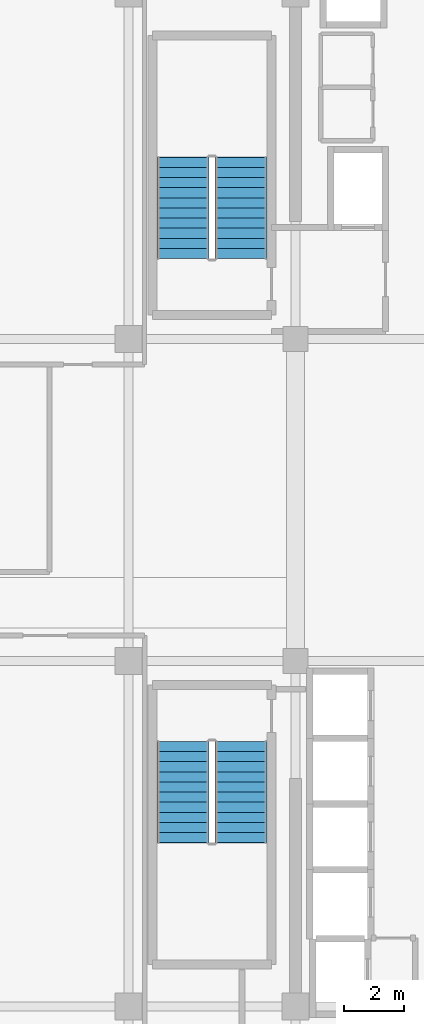
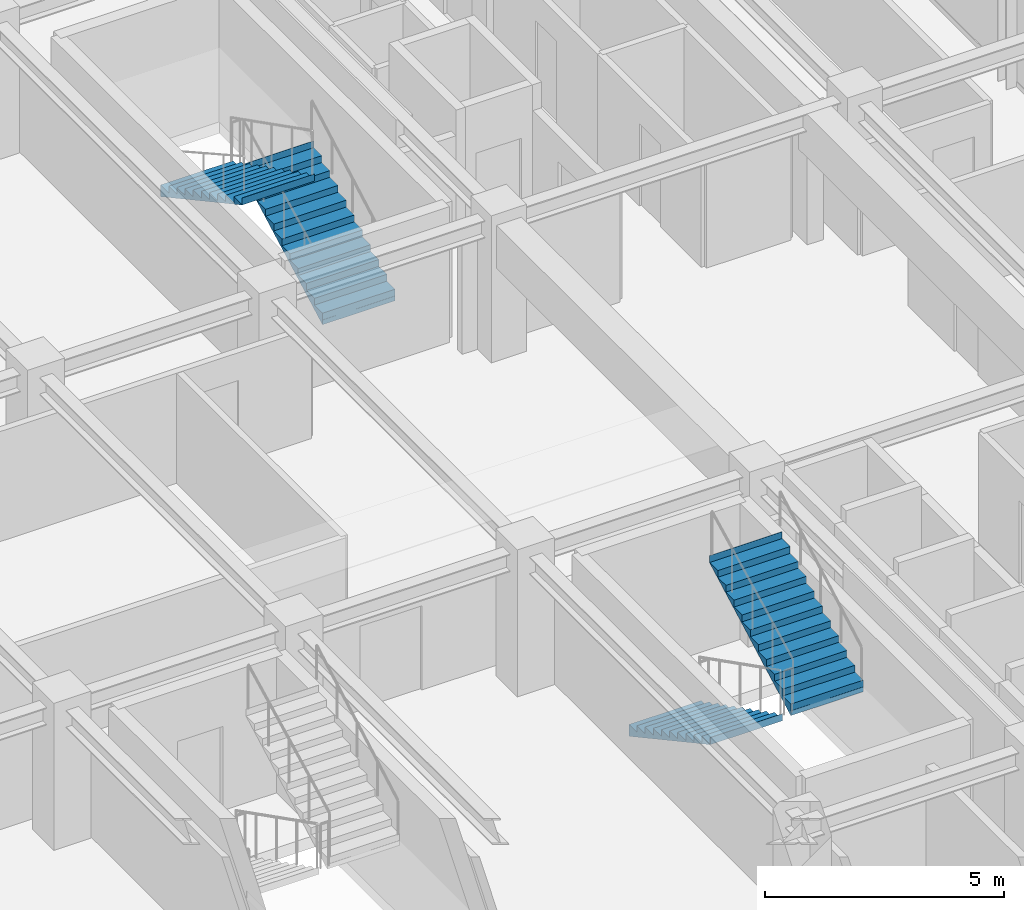
# One storey, part 31 of 34: 4 stair flights, 2 elements without a shape of their own.
"""IFC4 building model written with IfcOpenShell, lengths in metres."""

from ifc_helpers import new_model, si_unit, direction, frame, origin, place, context, subcontext, project, spatial, polyline, outline, extrude, source, transform, mapped, material, layer, layer_set, type_object, element, aggregate, save


model = new_model("IFC4")

# Units and contexts
model_context = context("Model", 3, precision=1e-05, world=origin(), true_north=direction((0.0, 1.0)))
body_context = subcontext(model_context, "Body", "Model", "MODEL_VIEW")
ifc_project = project(units=[si_unit("LENGTHUNIT", "METRE"), si_unit("AREAUNIT", "SQUARE_METRE"), si_unit("VOLUMEUNIT", "CUBIC_METRE"), si_unit("PLANEANGLEUNIT", "RADIAN"), si_unit("MASSUNIT", "GRAM", prefix="KILO")], contexts=[model_context])

# Site, building, storey
site_placement = place(None, origin())
site = spatial("IfcSite", under=ifc_project, at=site_placement, CompositionType="ELEMENT")
building_placement = place(site_placement, origin())
building = spatial("IfcBuilding", under=site, at=building_placement, Name="Nahalor Promenade Grand Hotel", CompositionType="ELEMENT")
storey_placement = place(building_placement, frame((0.0, 0.0, 334.75)))
storey = spatial("IfcBuildingStorey", under=building, at=storey_placement, Name="L86", CompositionType="ELEMENT", Elevation=334.75)

# Stair, stair flights
ifc_material = material(Name="Concrete B-50 (C40/50)", Category="concrete")
stair_type_1 = type_object("IfcStairType", Name="Stair-ST1", PredefinedType="HALF_TURN_STAIR", material=ifc_material)
stair_1_placement = place(storey_placement, origin())
stair_1 = element("IfcStair", 1, at=stair_1_placement, inside=storey, type_object=stair_type_1, Name="L86 ST1", PredefinedType="HALF_TURN_STAIR")
ifc_layer_1 = layer(ifc_material, 0.179931640625)
ifc_layer_set_1 = layer_set([ifc_layer_1], Name="Concrete B-50 (C40/50)")
stair_flight_type_1 = type_object("IfcStairFlightType", Name="Flight-ST1", PredefinedType="STRAIGHT", material=ifc_layer_set_1)
shared_shape_1 = source(origin(), body_context, "Body", "SweptSolid", [
    extrude(outline(polyline([(-0.00390625, -0.1201171875), (-0.00390625, 0.0), (0.0, 0.0), (0.0, 0.172607421875), (0.340087890625, 0.172607421875), (0.340087890625, 0.345458984375), (0.679931640625, 0.345458984375), (0.679931640625, 0.51806640625), (1.02001953125, 0.51806640625), (1.02001953125, 0.69091796875), (1.360107421875, 0.69091796875), (1.360107421875, 0.863525390625), (1.699951171875, 0.863525390625), (1.699951171875, 1.036376953125), (2.0400390625, 1.036376953125), (2.0400390625, 1.208984375), (2.3798828125, 1.208984375), (2.3798828125, 1.3818359375), (2.719970703125, 1.3818359375), (2.719970703125, 1.554443359375), (3.06005859375, 1.554443359375), (3.06005859375, 1.727294921875), (3.39990234375, 1.727294921875), (3.39990234375, 1.89990234375), (3.404052734375, 1.89990234375), (3.404052734375, 1.719970703125), (0.02001953125, -0.1201171875), (-0.00390625, -0.1201171875)])), frame((0.0, 0.875, 0.0), z_axis=(0.0, -1.0, 0.0), x_axis=(1.0, 0.0, 0.0)), (0.0, 0.0, 1.0), 1.75),
])
stair_flight_1_placement = place(storey_placement, frame((6.574951171875, 8.10009765625, 0.0), z_axis=(0.0, 0.0, 1.0), x_axis=(0.0, 1.0, 0.0)))
stair_flight_1 = element("IfcStairFlight", 2, at=stair_flight_1_placement, type_object=stair_flight_type_1, Name="ST1 flight 1", NumberOfRisers=11, NumberOfTreads=10, PredefinedType="STRAIGHT", RiserHeight=0.172727273, TreadLength=0.34, context=body_context, shape_type="MappedRepresentation", body=[
    mapped(shared_shape_1, transform((0.0, 0.0, 0.0), scale=1.0)),
])
stair_flight_2_placement = place(storey_placement, frame((4.625, 11.5, 1.89990234375), z_axis=(0.0, 0.0, 1.0), x_axis=(0.0, -1.0, 0.0)))
stair_flight_2 = element("IfcStairFlight", 3, at=stair_flight_2_placement, type_object=stair_flight_type_1, Name="ST1 flight 2", NumberOfRisers=11, NumberOfTreads=10, PredefinedType="STRAIGHT", RiserHeight=0.172727273, TreadLength=0.34, context=body_context, shape_type="MappedRepresentation", body=[
    mapped(shared_shape_1, transform((0.0, 0.0, 0.0), scale=1.0)),
])
aggregate(stair_1, [stair_flight_1, stair_flight_2])

stair_type_2 = type_object("IfcStairType", Name="Stair-ST2", PredefinedType="HALF_TURN_STAIR", material=ifc_material)
stair_2_placement = place(storey_placement, origin())
stair_2 = element("IfcStair", 4, at=stair_2_placement, inside=storey, type_object=stair_type_2, Name="L86 ST2", PredefinedType="HALF_TURN_STAIR")
ifc_layer_2 = layer(ifc_material, 0.18994140625)
ifc_layer_set_2 = layer_set([ifc_layer_2], Name="Concrete B-50 (C40/50)")
stair_flight_type_2 = type_object("IfcStairFlightType", Name="Flight-ST2", PredefinedType="STRAIGHT", material=ifc_layer_set_2)
shared_shape_2 = source(origin(), body_context, "Body", "SweptSolid", [
    extrude(outline(polyline([(-0.00390625, -0.1201171875), (-0.00390625, 0.0), (0.0, 0.0), (0.0, 0.172607421875), (0.340087890625, 0.172607421875), (0.340087890625, 0.345458984375), (0.679931640625, 0.345458984375), (0.679931640625, 0.51806640625), (1.02001953125, 0.51806640625), (1.02001953125, 0.69091796875), (1.360107421875, 0.69091796875), (1.360107421875, 0.863525390625), (1.699951171875, 0.863525390625), (1.699951171875, 1.036376953125), (2.0400390625, 1.036376953125), (2.0400390625, 1.208984375), (2.3798828125, 1.208984375), (2.3798828125, 1.3818359375), (2.719970703125, 1.3818359375), (2.719970703125, 1.554443359375), (3.06005859375, 1.554443359375), (3.06005859375, 1.727294921875), (3.39990234375, 1.727294921875), (3.39990234375, 1.89990234375), (3.404052734375, 1.89990234375), (3.404052734375, 1.719970703125), (0.02001953125, -0.1201171875), (-0.00390625, -0.1201171875)])), frame((0.0, 0.875, 0.0), z_axis=(0.0, -1.0, 0.0), x_axis=(1.0, 0.0, 0.0)), (0.0, 0.0, 1.0), 1.75),
])
stair_flight_3_placement = place(storey_placement, frame((4.625, -8.10009765625, 0.0), z_axis=(0.0, 0.0, 1.0), x_axis=(0.0, -1.0, 0.0)))
stair_flight_3 = element("IfcStairFlight", 5, at=stair_flight_3_placement, type_object=stair_flight_type_2, Name="ST2 flight 1", NumberOfRisers=11, NumberOfTreads=10, PredefinedType="STRAIGHT", RiserHeight=0.172727273, TreadLength=0.34, context=body_context, shape_type="MappedRepresentation", body=[
    mapped(shared_shape_2, transform((0.0, 0.0, 0.0), scale=1.0)),
])
stair_flight_4_placement = place(storey_placement, frame((6.574951171875, -11.5, 1.89990234375), z_axis=(0.0, 0.0, 1.0), x_axis=(0.0, 1.0, 0.0)))
stair_flight_4 = element("IfcStairFlight", 6, at=stair_flight_4_placement, type_object=stair_flight_type_2, Name="ST2 flight 2", NumberOfRisers=11, NumberOfTreads=10, PredefinedType="STRAIGHT", RiserHeight=0.172727273, TreadLength=0.34, context=body_context, shape_type="MappedRepresentation", body=[
    mapped(shared_shape_2, transform((0.0, 0.0, 0.0), scale=1.0)),
])
aggregate(stair_2, [stair_flight_3, stair_flight_4])

save(model, "model.ifc")
